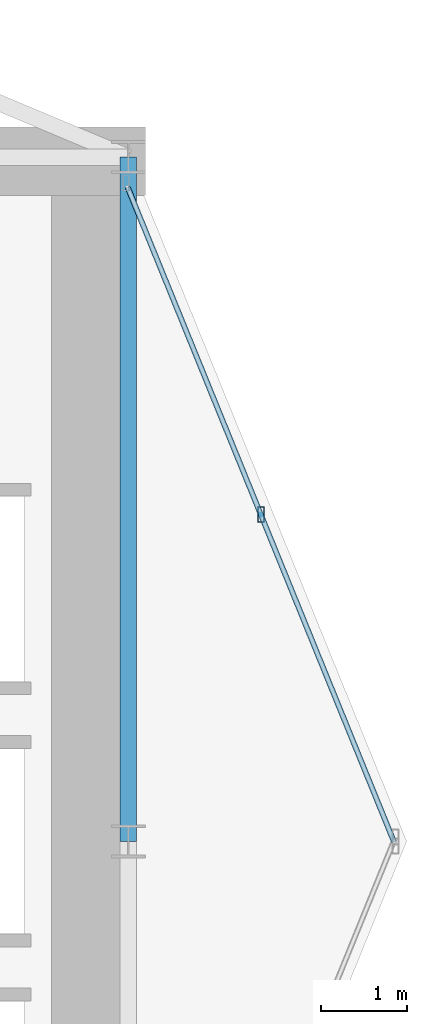
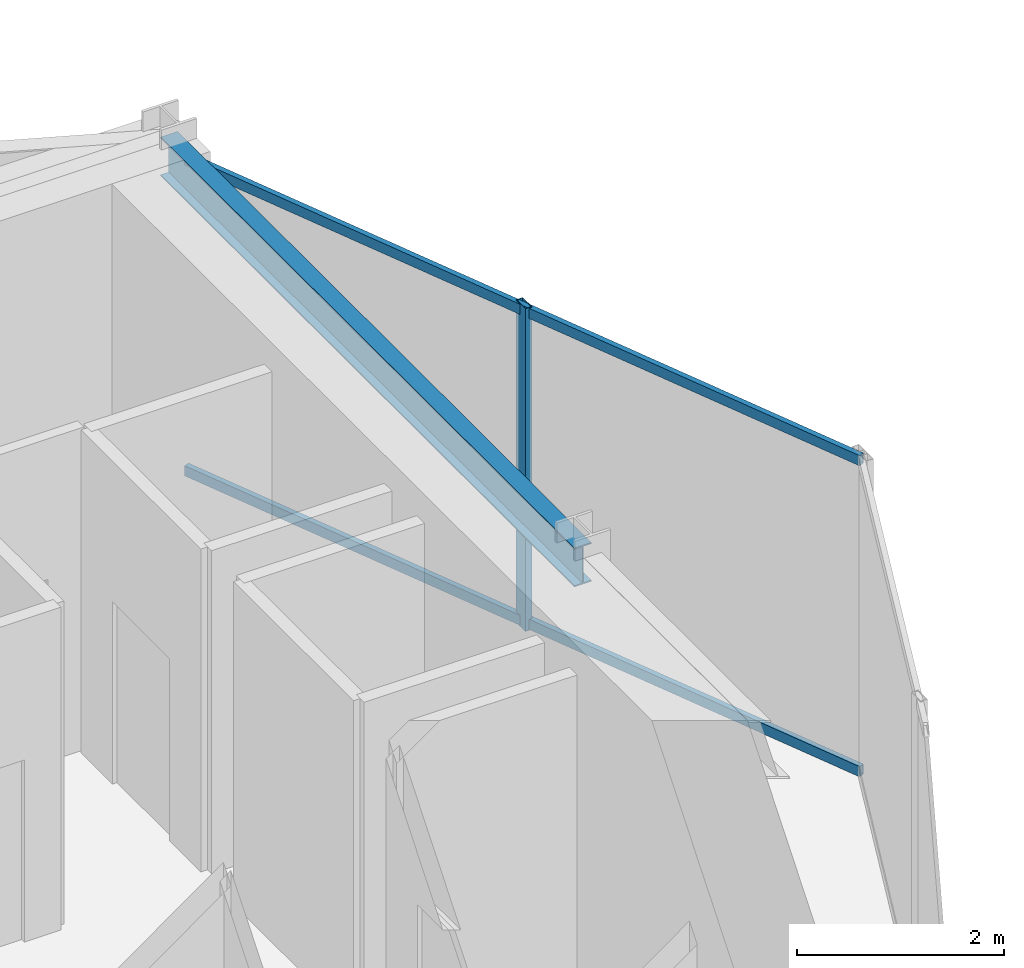
# One storey, part 15 of 25: 3 members, 1 beam, 1 element without a shape of its own.
"""IFC4 building model written with IfcOpenShell, lengths in metres."""

from ifc_helpers import new_model, si_unit, direction, frame, origin, origin_2d, place, context, subcontext, project, spatial, hollow_rectangle, i_section, extrude, material, layer, layer_set, material_profile, profile_set, type_object, element, aggregate, save


model = new_model("IFC4")

# Units and contexts
model_context = context("Model", 3, precision=1e-05, world=origin(), true_north=direction((0.0, 1.0)))
body_context = subcontext(model_context, "Body", "Model", "MODEL_VIEW")
ifc_project = project(units=[si_unit("LENGTHUNIT", "METRE"), si_unit("AREAUNIT", "SQUARE_METRE"), si_unit("VOLUMEUNIT", "CUBIC_METRE"), si_unit("PLANEANGLEUNIT", "RADIAN"), si_unit("MASSUNIT", "GRAM", prefix="KILO")], contexts=[model_context])

# Site, building, storey
site_placement = place(None, origin())
site = spatial("IfcSite", under=ifc_project, at=site_placement, CompositionType="ELEMENT")
building_placement = place(site_placement, origin())
building = spatial("IfcBuilding", under=site, at=building_placement, Name="Veymaron Broadcast Tower", CompositionType="ELEMENT")
storey_placement = place(building_placement, frame((0.0, 0.0, 129.0)))
storey = spatial("IfcBuildingStorey", under=building, at=storey_placement, Name="L29", CompositionType="ELEMENT", Elevation=129.0)

# Beam
ifc_material_1 = material(Name="Structural steel ASTM A992 Gr 50", Category="steel")
ifc_material_profile_1 = material_profile(ifc_material_1, i_section(OverallWidth=0.19091796875, OverallDepth=0.4599609375, WebThickness=0.010009765625, FlangeThickness=0.01611328125, at=origin_2d()), Name="W460X82")
ifc_profile_set_1 = profile_set([ifc_material_profile_1], Name="Structural steel ASTM A992 Gr 50")
beam_type = type_object("IfcBeamType", Name="BM-SP1", PredefinedType="SPANDREL", material=ifc_profile_set_1)
beam_placement = place(storey_placement, frame((54.60009765625, 24.0, 3.580078125), z_axis=(0.0, 1.0, 0.0), x_axis=(-1.0, 0.0, 0.0)))
element("IfcBeam", 1, at=beam_placement, inside=storey, type_object=beam_type, Name="L29 primary structural floor girder", PredefinedType="SPANDREL", context=body_context, shape_type="SweptSolid", body=[
    extrude(i_section(OverallWidth=0.19091796875, OverallDepth=0.4599609375, WebThickness=0.010009765625, FlangeThickness=0.01611328125, at=origin_2d()), origin(), (0.0, 0.0, 1.0), 8.0),
])

# Curtain wall, members
ifc_material_2 = material(Name="Anodised aluminium AA 6063-T6 and laminated low-E dark glass", Category="aluminium")
ifc_layer = layer(ifc_material_2, 0.179931640625)
ifc_layer_set = layer_set([ifc_layer], Name="Anodised aluminium AA 6063-T6 and laminated low-E dark glass")
curtain_wall_type = type_object("IfcCurtainWallType", Name="CW-SYS-03", PredefinedType="NOTDEFINED", material=ifc_layer_set)
curtain_wall_placement = place(storey_placement, origin())
curtain_wall = element("IfcCurtainWall", 2, at=curtain_wall_placement, inside=storey, type_object=curtain_wall_type, Name="L29 dark-glass curtain wall CW-L29-E3-1", PredefinedType="NOTDEFINED")
ifc_material_3 = material(Name="Anodised aluminium AA 6063-T6", Category="aluminium")
ifc_material_profile_2 = material_profile(ifc_material_3, hollow_rectangle(XDim=0.074951171875, YDim=0.179931640625, WallThickness=0.0048828125, at=origin_2d()), Name="AL180X75X5")
ifc_profile_set_2 = profile_set([ifc_material_profile_2], Name="Anodised aluminium AA 6063-T6")
member_type_1 = type_object("IfcMemberType", Name="CW-MUL-02", PredefinedType="MULLION", material=ifc_profile_set_2)
member_1_placement = place(storey_placement, frame((56.149169921875, 27.821044921875, 0.0), z_axis=(0.0, 0.0, 1.0), x_axis=(1.0, 0.0, 0.0)))
member_1 = element("IfcMember", 3, at=member_1_placement, type_object=member_type_1, Name="CW-L29-E3-1 mullion 1", PredefinedType="MULLION", context=body_context, shape_type="SweptSolid", body=[
    extrude(hollow_rectangle(XDim=0.074951171875, YDim=0.179931640625, WallThickness=0.0048828125, at=origin_2d()), origin(), (0.0, 0.0, 1.0), 3.81005859375),
])
ifc_material_profile_3 = material_profile(ifc_material_3, hollow_rectangle(XDim=0.06005859375, YDim=0.1201171875, WallThickness=0.00390625, at=origin_2d()), Name="AL120X60X4")
ifc_profile_set_3 = profile_set([ifc_material_profile_3], Name="Anodised aluminium AA 6063-T6")
member_type_2 = type_object("IfcMemberType", Name="CW-TRN-02", PredefinedType="USERDEFINED", material=ifc_profile_set_3)
member_2_placement = place(storey_placement, frame((57.70654296875, 23.993408203125, 0.070068359375), z_axis=(-0.376874596189, 0.926264292061, 0.0), x_axis=(-0.926264292061, -0.376874596189, 0.0)))
member_2 = element("IfcMember", 4, at=member_2_placement, type_object=member_type_2, Name="CW-L29-E3-1 transom B", ObjectType="TRANSOM", PredefinedType="USERDEFINED", context=body_context, shape_type="SweptSolid", body=[
    extrude(hollow_rectangle(XDim=0.06005859375, YDim=0.1201171875, WallThickness=0.00390625, at=origin_2d()), origin(), (0.0, 0.0, 1.0), 8.2646484375),
])
member_3_placement = place(storey_placement, frame((57.70654296875, 23.993408203125, 3.739990234375), z_axis=(-0.376874596189, 0.926264292061, 0.0), x_axis=(-0.926264292061, -0.376874596189, 0.0)))
member_3 = element("IfcMember", 5, at=member_3_placement, type_object=member_type_2, Name="CW-L29-E3-1 transom T", ObjectType="TRANSOM", PredefinedType="USERDEFINED", context=body_context, shape_type="SweptSolid", body=[
    extrude(hollow_rectangle(XDim=0.06005859375, YDim=0.1201171875, WallThickness=0.00390625, at=origin_2d()), origin(), (0.0, 0.0, 1.0), 8.2646484375),
])
aggregate(curtain_wall, [member_1, member_2, member_3])

save(model, "model.ifc")
